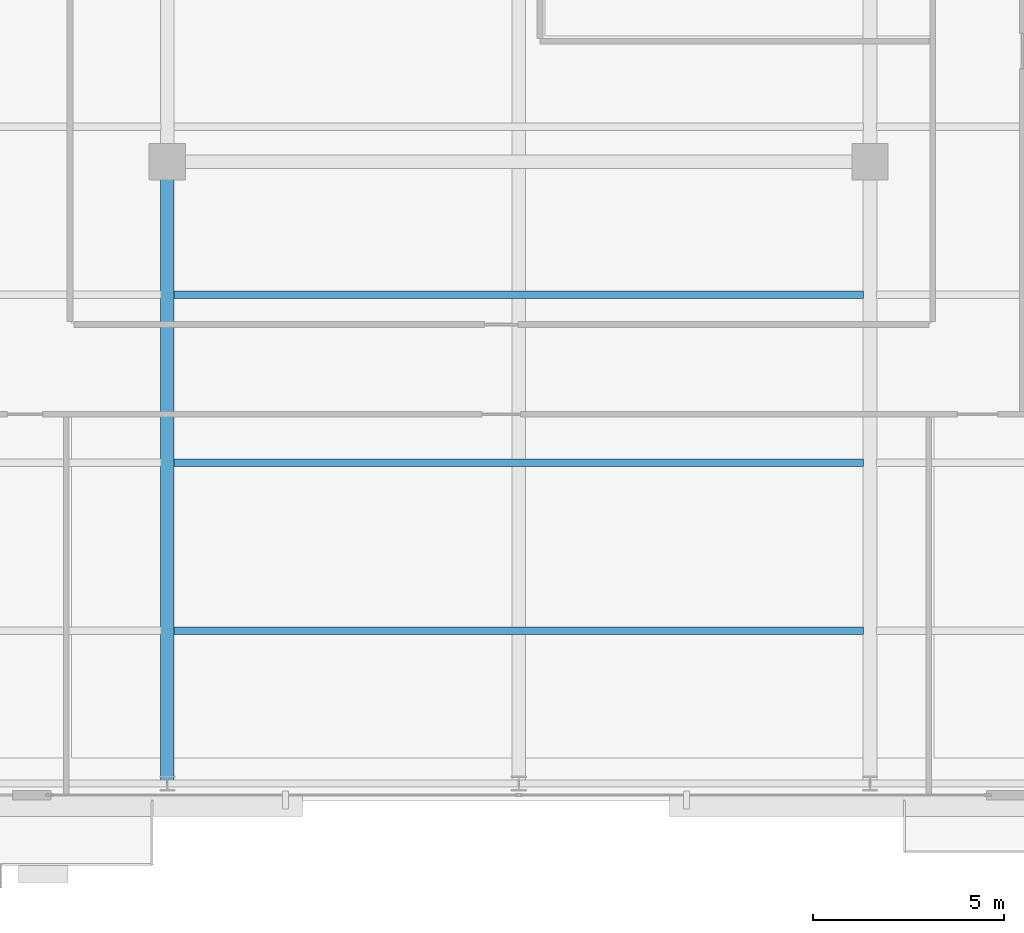
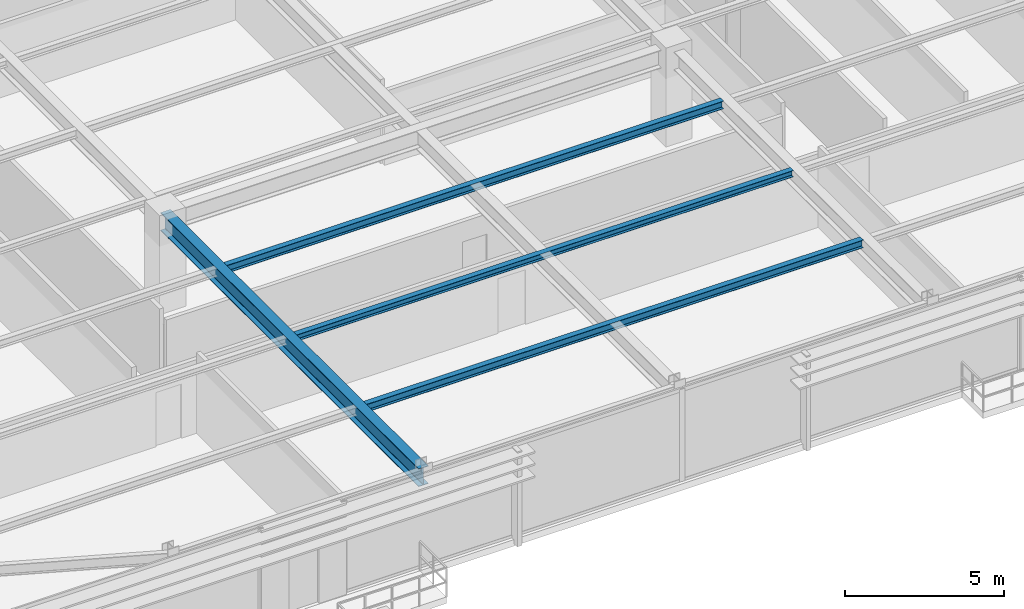
# One storey, part 7 of 32: 4 beams.
"""IFC4 building model written with IfcOpenShell, lengths in metres."""

import ifcopenshell
import ifcopenshell.guid

model = None  # the IFC model being written
_history = None  # IfcOwnerHistory: only IFC2X3 demands one
_inside = {}  # id of a spatial element -> (the spatial element, [elements in it])
_under = {}  # id of a project, library or spatial element -> (it, [spatial elements below it])
_declared = {}  # id of a project -> (the project, [libraries it declares])
_typed = {}  # id of a type object -> (the type object, [elements of that type])
_made_of = {}  # id of a material, layer set ... -> (it, [elements and type objects made of it])


def new_model(schema):
    """Start an empty IFC model of exactly this schema.

    Asked for "IFC4X3", IfcOpenShell would pick the latest addendum, in which some entities
    have other attributes; the version numbers below select the first issue.
    IFC2X3 requires an IfcOwnerHistory on every rooted entity: one is made here for all.
    """
    global model, _history
    if schema == "IFC4X3":
        model = ifcopenshell.file(schema_version=(4, 3, 0, 0))
    else:
        model = ifcopenshell.file(schema=schema)
    _inside.clear()
    _under.clear()
    _declared.clear()
    _typed.clear()
    _made_of.clear()
    _history = None
    if model.schema == "IFC2X3":
        org = make("IfcOrganization", Name="unknown")
        user = make(
            "IfcPersonAndOrganization",
            ThePerson=make("IfcPerson", FamilyName="unknown"),
            TheOrganization=org,
        )
        app = make(
            "IfcApplication",
            ApplicationDeveloper=org,
            Version="unknown",
            ApplicationFullName="unknown",
            ApplicationIdentifier="unknown",
        )
        _history = make(
            "IfcOwnerHistory",
            OwningUser=user,
            OwningApplication=app,
            ChangeAction="ADDED",
            CreationDate=0,
        )
    return model


def make(cls, **values):
    """One entity of the class cls with the attributes given. An attribute that is None is left unset."""
    return model.create_entity(
        cls, **{name: value for name, value in values.items() if value is not None}
    )


def rooted(cls, **values):
    """An entity with a GlobalId (a new one), such as an element, a storey or a relation."""
    return make(cls, GlobalId=ifcopenshell.guid.new(), OwnerHistory=_history, **values)


def si_unit(unit_type, name, prefix=None):
    """IfcSIUnit, for example si_unit("LENGTHUNIT", "METRE", prefix="MILLI")."""
    return make("IfcSIUnit", UnitType=unit_type, Prefix=prefix, Name=name)


def assignment(units):
    """IfcUnitAssignment: the units of a project."""
    return None if units is None else make("IfcUnitAssignment", Units=units)


def point(xyz):
    """IfcCartesianPoint."""
    return None if xyz is None else make("IfcCartesianPoint", Coordinates=xyz)


def direction(xyz):
    """IfcDirection."""
    return None if xyz is None else make("IfcDirection", DirectionRatios=xyz)


def frame(location, z_axis=None, x_axis=None):
    """IfcAxis2Placement3D, a coordinate frame: its origin and axes. An axis left out is left unset."""
    return make(
        "IfcAxis2Placement3D",
        Location=point(location),
        Axis=direction(z_axis),
        RefDirection=direction(x_axis),
    )


def frame_2d(location, x_axis=None):
    """IfcAxis2Placement2D, a coordinate frame in the plane: its origin and x axis."""
    return make(
        "IfcAxis2Placement2D", Location=point(location), RefDirection=direction(x_axis)
    )


def origin():
    """The frame at (0, 0, 0) with its axes left unset."""
    return frame((0.0, 0.0, 0.0))


def origin_2d():
    """The frame at (0, 0) in the plane with its x axis left unset."""
    return frame_2d((0.0, 0.0))


def place(relative_to, where):
    """IfcLocalPlacement: puts the frame where relative to a parent placement (None: the world)."""
    return make(
        "IfcLocalPlacement", PlacementRelTo=relative_to, RelativePlacement=where
    )


def context(
    kind, dimensions, precision=None, world=None, true_north=None, identifier=None
):
    """IfcGeometricRepresentationContext, for example the 3D "Model" context."""
    return make(
        "IfcGeometricRepresentationContext",
        ContextIdentifier=identifier,
        ContextType=kind,
        CoordinateSpaceDimension=dimensions,
        Precision=precision,
        WorldCoordinateSystem=world,
        TrueNorth=true_north,
    )


def subcontext(parent, identifier, kind, view, scale=None):
    """IfcGeometricRepresentationSubContext, for example "Body" below "Model"."""
    return make(
        "IfcGeometricRepresentationSubContext",
        ContextIdentifier=identifier,
        ContextType=kind,
        ParentContext=parent,
        TargetScale=scale,
        TargetView=view,
    )


def project(units=None, contexts=None):
    """IfcProject with its units and contexts."""
    return rooted(
        "IfcProject",
        Name="project",
        RepresentationContexts=contexts,
        UnitsInContext=assignment(units),
    )


def spatial(cls, under=None, at=None, **own):
    """A site, building, storey or space (cls), placed at a placement, below another one or the project."""
    s = rooted(cls, ObjectPlacement=at, **own)
    if under is not None:
        _under.setdefault(under.id(), (under, []))[1].append(s)
    return s


def profile(cls, at=None, kind="AREA", **sizes):
    """A parametric profile (cls). Its sizes go by their IFC names, for example OverallWidth=200.0."""
    return make(cls, ProfileType=kind, Position=at, **sizes)


def i_section(**sizes):
    """IfcIShapeProfileDef."""
    return profile("IfcIShapeProfileDef", **sizes)


def extrude(swept, where, along, depth):
    """IfcExtrudedAreaSolid: the profile swept, set in the frame where, extruded along a direction by depth."""
    return make(
        "IfcExtrudedAreaSolid",
        SweptArea=swept,
        Position=where,
        ExtrudedDirection=direction(along),
        Depth=depth,
    )


def shape(context_of_items, identifier, shape_type, items):
    """IfcShapeRepresentation: the items that make up one representation, for example the "Body"."""
    return make(
        "IfcShapeRepresentation",
        ContextOfItems=context_of_items,
        RepresentationIdentifier=identifier,
        RepresentationType=shape_type,
        Items=items,
    )


def source(mapping_origin, context_of_items, identifier, shape_type, items):
    """IfcRepresentationMap: a shape defined once, which mapped items show again and again."""
    return make(
        "IfcRepresentationMap",
        MappingOrigin=mapping_origin,
        MappedRepresentation=shape(context_of_items, identifier, shape_type, items),
    )


def transform(
    local_origin,
    x_axis=None,
    y_axis=None,
    z_axis=None,
    scale=None,
    scale2=None,
    scale3=None,
    uniform=True,
):
    """IfcCartesianTransformationOperator3D, or its non-uniform kind. x_axis, y_axis, z_axis: its Axis1, 2, 3."""
    if uniform:
        return make(
            "IfcCartesianTransformationOperator3D",
            Axis1=direction(x_axis),
            Axis2=direction(y_axis),
            LocalOrigin=point(local_origin),
            Scale=scale,
            Axis3=direction(z_axis),
        )
    return make(
        "IfcCartesianTransformationOperator3DnonUniform",
        Axis1=direction(x_axis),
        Axis2=direction(y_axis),
        LocalOrigin=point(local_origin),
        Scale=scale,
        Axis3=direction(z_axis),
        Scale2=scale2,
        Scale3=scale3,
    )


def mapped(mapping_source, mapping_target):
    """IfcMappedItem: shows the shape of a source again, moved by a transform."""
    return make(
        "IfcMappedItem", MappingSource=mapping_source, MappingTarget=mapping_target
    )


def material(Name=None, Category=None):
    """IfcMaterial."""
    return make("IfcMaterial", Name=Name, Category=Category)


def material_profile(
    of_material, cross_section, Name=None, Category=None, Priority=None
):
    """IfcMaterialProfile: a cross section and its material."""
    return make(
        "IfcMaterialProfile",
        Name=Name,
        Material=of_material,
        Profile=cross_section,
        Priority=Priority,
        Category=Category,
    )


def profile_set(profiles, Name=None, composite=None):
    """IfcMaterialProfileSet."""
    return make(
        "IfcMaterialProfileSet",
        Name=Name,
        MaterialProfiles=profiles,
        CompositeProfile=composite,
    )


def made_of(thing, what):
    """Note that an element or type object is made of a material, layer set ...; save() writes the relation."""
    if what is not None:
        _made_of.setdefault(what.id(), (what, []))[1].append(thing)
    return thing


def type_object(cls, material=None, **own):
    """A type object (cls), such as IfcWallType, which elements share."""
    return made_of(rooted(cls, **own), material)


def type_shapes(of_type, sources):
    """Give a type object the sources (RepresentationMaps) that its elements show as mapped items."""
    of_type.RepresentationMaps = sources


def element(
    cls,
    number,
    at=None,
    inside=None,
    cuts=None,
    type_object=None,
    material=None,
    context=None,
    identifier="Body",
    shape_type=None,
    held_by="IfcProductDefinitionShape",
    body=None,
    shapes=None,
    **own,
):
    """One element of the class cls, such as IfcWall. Its Tag is "e" and its number.

    at: its placement. inside: the storey or other place that contains it. cuts: it is an
    opening in that element (IfcRelVoidsElement). A single representation is given by context,
    identifier, shape_type and body (its items); several are given by shapes. held_by: the class
    of the entity that holds the representations. save() writes the other relations.
    """
    e = rooted(cls, Tag="e%d" % number, ObjectPlacement=at, **own)
    if body is not None:
        shapes = [shape(context, identifier, shape_type, body)]
    if shapes is not None:
        e.Representation = make(held_by, Representations=shapes)
    if inside is not None:
        _inside.setdefault(inside.id(), (inside, []))[1].append(e)
    if cuts is not None:
        rooted(
            "IfcRelVoidsElement", RelatingBuildingElement=cuts, RelatedOpeningElement=e
        )
    if type_object is not None:
        _typed.setdefault(type_object.id(), (type_object, []))[1].append(e)
    return made_of(e, material)


def aggregate(whole, parts):
    """IfcRelAggregates: a whole, such as a stair, and the parts it consists of."""
    return rooted("IfcRelAggregates", RelatingObject=whole, RelatedObjects=parts)


def save(model, path):
    """Write the relations noted so far, then the file.

    IfcRelAggregates (storeys below a building ...), IfcRelContainedInSpatialStructure (elements
    in a storey), IfcRelDefinesByType, IfcRelAssociatesMaterial and IfcRelDeclares: one each for
    every whole, place, type object, material and project.
    """
    for whole, parts in _under.values():
        aggregate(whole, parts)
    for where, things in _inside.values():
        rooted(
            "IfcRelContainedInSpatialStructure",
            RelatedElements=things,
            RelatingStructure=where,
        )
    for kind, things in _typed.values():
        rooted("IfcRelDefinesByType", RelatedObjects=things, RelatingType=kind)
    for what, things in _made_of.values():
        rooted("IfcRelAssociatesMaterial", RelatedObjects=things, RelatingMaterial=what)
    for by, libraries in _declared.values():
        rooted("IfcRelDeclares", RelatingContext=by, RelatedDefinitions=libraries)
    model.write(path)


model = new_model("IFC4")

# Units and contexts
model_context = context("Model", 3, precision=1e-05, world=origin(), true_north=direction((0.0, 1.0)))
body_context = subcontext(model_context, "Body", "Model", "MODEL_VIEW")
ifc_project = project(units=[si_unit("LENGTHUNIT", "METRE"), si_unit("AREAUNIT", "SQUARE_METRE"), si_unit("VOLUMEUNIT", "CUBIC_METRE"), si_unit("PLANEANGLEUNIT", "RADIAN"), si_unit("MASSUNIT", "GRAM", prefix="KILO")], contexts=[model_context])

# Site, building, storey
site_placement = place(None, origin())
site = spatial("IfcSite", under=ifc_project, at=site_placement, CompositionType="ELEMENT")
building_placement = place(site_placement, origin())
building = spatial("IfcBuilding", under=site, at=building_placement, Name="Varnel Quay Broadcast Tower", CompositionType="ELEMENT")
storey_placement = place(building_placement, frame((0.0, 0.0, 133.39990234375)))
storey = spatial("IfcBuildingStorey", under=building, at=storey_placement, Name="L32", CompositionType="ELEMENT", Elevation=133.39990234375)

# Beams
ifc_material = material(Name="Structural Steel CSA G40.21 350W", Category="steel")
ifc_material_profile_1 = material_profile(ifc_material, i_section(OverallWidth=0.35498046875, OverallDepth=0.695068359375, WebThickness=0.015380859375, FlangeThickness=0.02490234375, FilletRadius=0.01806640625, at=origin_2d()), Name="W690X217")
ifc_profile_set_1 = profile_set([ifc_material_profile_1], Name="Structural Steel CSA G40.21 350W")
beam_type_1 = type_object("IfcBeamType", Name="Girder_W690X217", PredefinedType="BEAM", material=ifc_profile_set_1)
shared_shape_1 = source(origin(), body_context, "Body", "SweptSolid", [
    extrude(i_section(OverallWidth=0.35498046875, OverallDepth=0.695068359375, WebThickness=0.015380859375, FlangeThickness=0.02490234375, FilletRadius=0.01806640625, at=origin_2d()), origin(), (0.0, 0.0, 1.0), 16.239990234375),
])
type_shapes(beam_type_1, [shared_shape_1])
beam_1_placement = place(storey_placement, frame((24.800048828125, 4.669921875, 3.20263671875), z_axis=(0.0, 1.0, 0.0), x_axis=(-1.0, 0.0, 0.0)))
element("IfcBeam", 1, at=beam_1_placement, inside=storey, type_object=beam_type_1, Name="L32 Primary Girder TC-S2-IC-01", PredefinedType="BEAM", context=body_context, shape_type="MappedRepresentation", body=[
    mapped(shared_shape_1, transform((0.0, 0.0, 0.0), x_axis=(1.0, 0.0, 0.0), y_axis=(0.0, 1.0, 0.0), z_axis=(0.0, 0.0, 1.0), scale=1.0)),
])
ifc_material_profile_2 = material_profile(ifc_material, i_section(OverallWidth=0.202880859375, OverallDepth=0.302978515625, WebThickness=0.007568359375, FlangeThickness=0.01318359375, FilletRadius=0.011962890625, at=origin_2d()), Name="W310X60")
ifc_profile_set_2 = profile_set([ifc_material_profile_2], Name="Structural Steel CSA G40.21 350W")
beam_type_2 = type_object("IfcBeamType", Name="Beam_W310X60", PredefinedType="JOIST", material=ifc_profile_set_2)
shared_shape_2 = source(origin(), body_context, "Body", "SweptSolid", [
    extrude(i_section(OverallWidth=0.202880859375, OverallDepth=0.302978515625, WebThickness=0.007568359375, FlangeThickness=0.01318359375, FilletRadius=0.011962890625, at=origin_2d()), origin(), (0.0, 0.0, 1.0), 18.05517578125),
])
type_shapes(beam_type_2, [shared_shape_2])
for number, where, z_axis, x_axis, name in (
    (2, (24.972412109375, 8.64990234375, 3.398681640625), (1.0, 0.0, 0.0), (0.0, 1.0, 0.0), "L32 Central Floor Joist 1"),
    (3, (24.972412109375, 17.449951171875, 3.398681640625), (1.0, 0.0, 0.0), (0.0, 1.0, 0.0), "L32 Central Floor Joist 3"),
):
    element("IfcBeam", number, at=place(storey_placement, frame(where, z_axis=z_axis, x_axis=x_axis)), inside=storey, type_object=beam_type_2, Name=name, PredefinedType="JOIST", context=body_context, shape_type="MappedRepresentation", body=[
        mapped(shared_shape_2, transform((0.0, 0.0, 0.0), x_axis=(1.0, 0.0, 0.0), y_axis=(0.0, 1.0, 0.0), z_axis=(0.0, 0.0, 1.0), scale=1.0)),
    ])
ifc_material_profile_3 = material_profile(ifc_material, i_section(OverallWidth=0.201904296875, OverallDepth=0.2470703125, WebThickness=0.00732421875, FlangeThickness=0.010986328125, FilletRadius=0.010986328125, at=origin_2d()), Name="W250X49")
ifc_profile_set_3 = profile_set([ifc_material_profile_3], Name="Structural Steel CSA G40.21 350W")
beam_type_3 = type_object("IfcBeamType", Name="Beam_W250X49", PredefinedType="JOIST", material=ifc_profile_set_3)
shared_shape_3 = source(origin(), body_context, "Body", "SweptSolid", [
    extrude(i_section(OverallWidth=0.201904296875, OverallDepth=0.2470703125, WebThickness=0.00732421875, FlangeThickness=0.010986328125, FilletRadius=0.010986328125, at=origin_2d()), origin(), (0.0, 0.0, 1.0), 18.05517578125),
])
type_shapes(beam_type_3, [shared_shape_3])
beam_2_placement = place(storey_placement, frame((24.972412109375, 13.050048828125, 3.426513671875), z_axis=(1.0, 0.0, 0.0), x_axis=(0.0, 1.0, 0.0)))
element("IfcBeam", 4, at=beam_2_placement, inside=storey, type_object=beam_type_3, Name="L32 Central Floor Joist 2", PredefinedType="JOIST", context=body_context, shape_type="MappedRepresentation", body=[
    mapped(shared_shape_3, transform((0.0, 0.0, 0.0), x_axis=(1.0, 0.0, 0.0), y_axis=(0.0, 1.0, 0.0), z_axis=(0.0, 0.0, 1.0), scale=1.0)),
])

save(model, "model.ifc")
